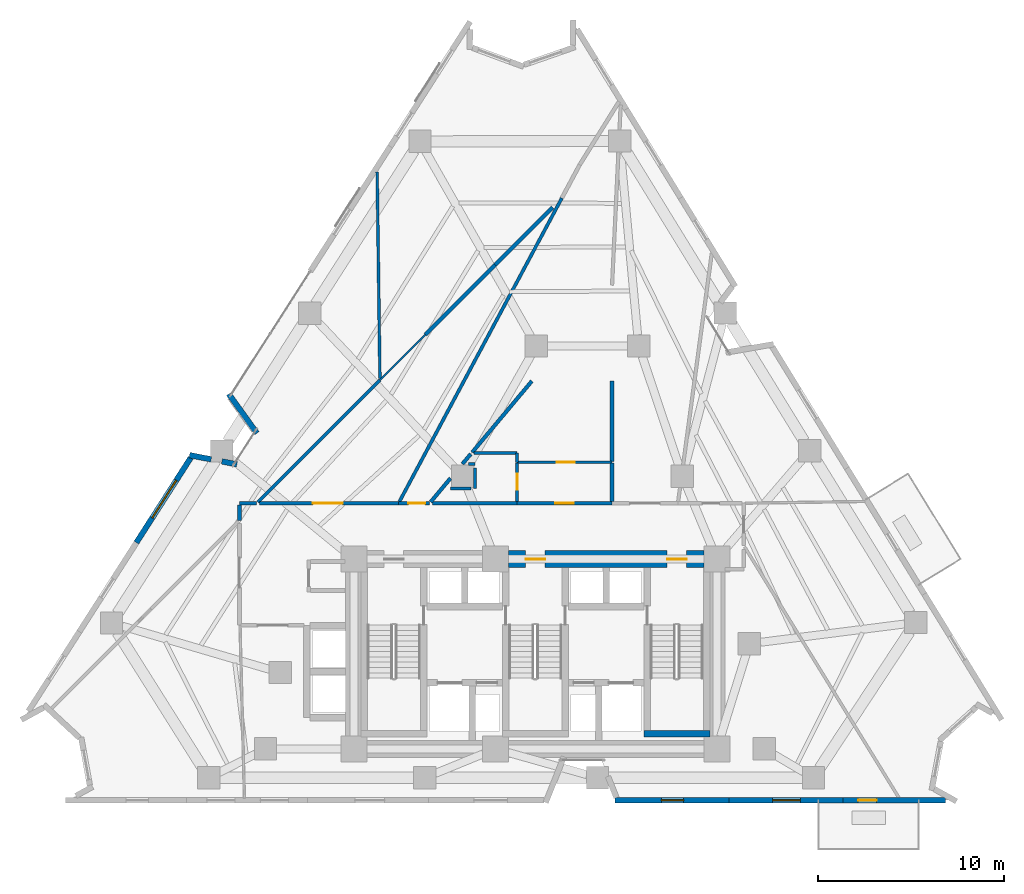
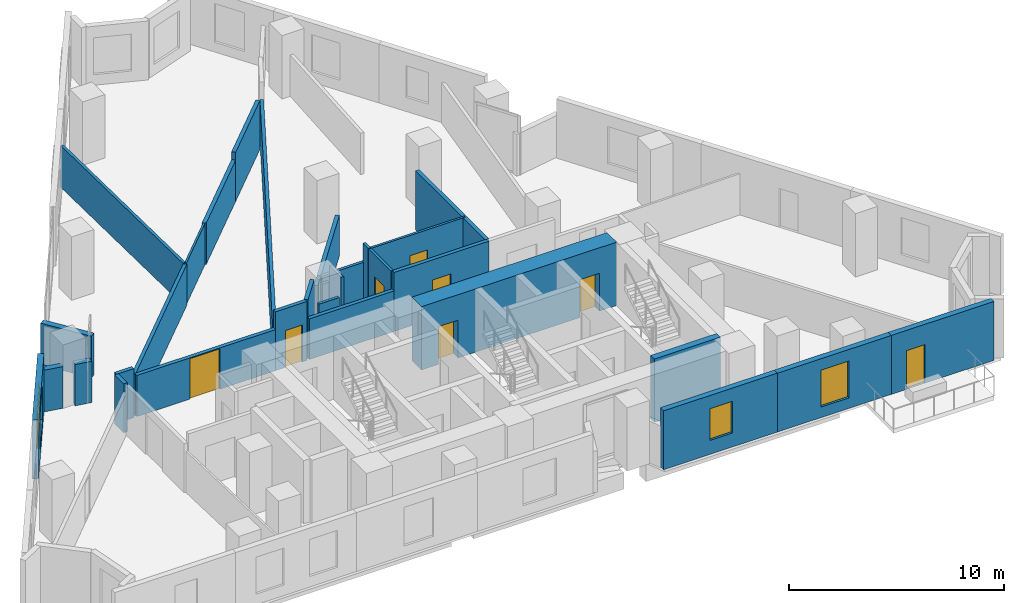
# One storey, part 7 of 12: 33 walls, 8 doors, 3 windows, 11 openings.
"""IFC4 building model written with IfcOpenShell, lengths in metres."""

from ifc_helpers import new_model, si_unit, direction, frame, frame_2d, origin, place, context, subcontext, project, spatial, rectangle, extrude, material, layer, layer_set, type_object, element, fill, save


model = new_model("IFC4")

# Units and contexts
model_context = context("Model", 3, precision=1e-05, world=origin(), true_north=direction((0.0, 1.0)))
body_context = subcontext(model_context, "Body", "Model", "MODEL_VIEW")
ifc_project = project(units=[si_unit("LENGTHUNIT", "METRE"), si_unit("AREAUNIT", "SQUARE_METRE"), si_unit("VOLUMEUNIT", "CUBIC_METRE"), si_unit("PLANEANGLEUNIT", "RADIAN"), si_unit("MASSUNIT", "GRAM", prefix="KILO")], contexts=[model_context])

# Site, building, storey
site_placement = place(None, origin())
site = spatial("IfcSite", under=ifc_project, at=site_placement, CompositionType="ELEMENT")
building_placement = place(site_placement, origin())
building = spatial("IfcBuilding", under=site, at=building_placement, Name="Almagre Mirador Tower", CompositionType="ELEMENT")
storey_placement = place(building_placement, frame((0.0, 0.0, 93.0)))
storey = spatial("IfcBuildingStorey", under=building, at=storey_placement, Name="L23", CompositionType="ELEMENT", Elevation=93.0)

# Walls
ifc_material_1 = material(Name="Precast concrete C50/60", Category="concrete")
ifc_layer_1 = layer(ifc_material_1, 0.300048828125)
ifc_layer_set_1 = layer_set([ifc_layer_1], Name="Precast concrete C50/60")
wall_type_1 = type_object("IfcWallType", Name="WAL-EXT-300", PredefinedType="SOLIDWALL", material=ifc_layer_set_1)
wall_1_placement = place(storey_placement, frame((18.718505859375, 20.33154296875, 0.0), z_axis=(0.0, 0.0, 1.0), x_axis=(0.981768670621, -0.190079660635, 0.0)))
element("IfcWall", 1, at=wall_1_placement, inside=storey, type_object=wall_type_1, Name="L23 expressed almagre precast frame wall 01", PredefinedType="SOLIDWALL", context=body_context, shape_type="SweptSolid", body=[
    extrude(rectangle(XDim=1.182861328125, YDim=0.300048828125, at=frame_2d((0.59130859375, 0.0))), origin(), (0.0, 0.0, 1.0), 2.375),
])
wall_2_placement = place(storey_placement, frame((20.4560546875, 19.9951171875, 0.0), z_axis=(0.0, 0.0, 1.0), x_axis=(0.981715557517, -0.190353786749, 0.0)))
element("IfcWall", 2, at=wall_2_placement, inside=storey, type_object=wall_type_1, Name="L23 expressed almagre precast frame wall 02", PredefinedType="SOLIDWALL", context=body_context, shape_type="SweptSolid", body=[
    extrude(rectangle(XDim=0.823486328125, YDim=0.300048828125, at=frame_2d((0.41162109375, 0.0))), origin(), (0.0, 0.0, 1.0), 2.35009765625),
])
wall_3_placement = place(storey_placement, frame((22.336669921875, 21.51123046875, 0.0), z_axis=(0.0, 0.0, 1.0), x_axis=(-0.583178108206, 0.812344319922, 0.0)))
element("IfcWall", 3, at=wall_3_placement, inside=storey, type_object=wall_type_1, Name="L23 expressed almagre precast frame wall 03", PredefinedType="SOLIDWALL", context=body_context, shape_type="SweptSolid", body=[
    extrude(rectangle(XDim=2.593017578125, YDim=0.300048828125, at=frame_2d((1.29638671875, 0.0))), origin(), (0.0, 0.0, 1.0), 2.375),
])

# Wall, opening, door
wall_4_placement = place(storey_placement, frame((59.340087890625, 1.800048828125, 0.0), z_axis=(0.0, 0.0, 1.0), x_axis=(-1.0, 0.0, 0.0)))
wall_4 = element("IfcWall", 4, at=wall_4_placement, inside=storey, type_object=wall_type_1, Name="L23 expressed almagre precast frame wall 22", PredefinedType="SOLIDWALL", context=body_context, shape_type="SweptSolid", body=[
    extrude(rectangle(XDim=5.524169921875, YDim=0.300048828125, at=frame_2d((2.76220703125, 0.0))), origin(), (0.0, 0.0, 1.0), 3.35009765625),
])
opening_1_placement = place(wall_4_placement, frame((3.69970703125, 0.0, 0.0)))
opening_1 = element("IfcOpeningElement", 5, at=opening_1_placement, cuts=wall_4, Name="Opening BD-01", PredefinedType="OPENING", context=body_context, shape_type="SweptSolid", body=[
    extrude(rectangle(XDim=1.0, YDim=2.199951171875, at=frame_2d((0.5, 1.10009765625))), frame((0.0, 0.159902, 0.0), z_axis=(0.0, -1.0, 0.0), x_axis=(1.0, 0.0, 0.0)), (0.0, 0.0, 1.0), 0.320049),
])
ifc_material_2 = material(Name="Black anodized aluminium and laminated glass", Category="aluminium")
door_type_1 = type_object("IfcDoorType", Name="DOR-BAL-1000X2200", OperationType="NOTDEFINED", PredefinedType="DOOR", material=ifc_material_2)
door_1_placement = place(opening_1_placement, origin())
door_1 = element("IfcDoor", 6, at=door_1_placement, inside=storey, type_object=door_type_1, Name="DR-0779 L23 south balcony glazed door 1", OperationType="SINGLE_SWING_LEFT", OverallHeight=2.199951171875, OverallWidth=1.0, PredefinedType="DOOR", context=body_context, shape_type="SweptSolid", body=[
    extrude(rectangle(XDim=1.0, YDim=2.199951171875, at=frame_2d((0.5, 1.10009765625))), frame((0.0, 0.02490234375, 0.0), z_axis=(0.0, -1.0, 0.0), x_axis=(1.0, 0.0, 0.0)), (0.0, 0.0, 1.0), 0.050048828125),
])
fill(opening_1, door_1)

# Wall, opening, window
wall_5_placement = place(storey_placement, frame((53.81591796875, 1.800048828125, 0.0), z_axis=(0.0, 0.0, 1.0), x_axis=(-1.0, 0.0, 0.0)))
wall_5 = element("IfcWall", 7, at=wall_5_placement, inside=storey, type_object=wall_type_1, Name="L23 expressed almagre precast frame wall 23", PredefinedType="SOLIDWALL", context=body_context, shape_type="SweptSolid", body=[
    extrude(rectangle(XDim=6.1240234375, YDim=0.300048828125, at=frame_2d((3.06201171875, 0.0))), origin(), (0.0, 0.0, 1.0), 3.35009765625),
])
opening_2_placement = place(wall_5_placement, frame((2.27490234375, 0.0, 0.60009765625)))
opening_2 = element("IfcOpeningElement", 8, at=opening_2_placement, cuts=wall_5, Name="Opening WN-03", PredefinedType="OPENING", context=body_context, shape_type="SweptSolid", body=[
    extrude(rectangle(XDim=1.5, YDim=2.10009765625, at=frame_2d((0.75, 1.050048828125))), frame((0.0, 0.159902, 0.0), z_axis=(0.0, -1.0, 0.0), x_axis=(1.0, 0.0, 0.0)), (0.0, 0.0, 1.0), 0.320049),
])
ifc_material_3 = material(Name="Dark solar-control laminated hurricane glass", Category="glass")
window_type_1 = type_object("IfcWindowType", Name="WIN-1500X2100", PartitioningType="DOUBLE_PANEL_VERTICAL", PredefinedType="WINDOW", material=ifc_material_3)
window_1_placement = place(opening_2_placement, origin())
window_1 = element("IfcWindow", 9, at=window_1_placement, inside=storey, type_object=window_type_1, Name="L23 recessed hurricane window L23-RST-C", OverallHeight=2.10009765625, OverallWidth=1.5, PartitioningType="SINGLE_PANEL", PredefinedType="WINDOW", context=body_context, shape_type="SweptSolid", body=[
    extrude(rectangle(XDim=1.5, YDim=2.10009765625, at=frame_2d((0.75, 1.050048828125))), frame((0.0, 0.030029296875, 0.0), z_axis=(0.0, -1.0, 0.0), x_axis=(1.0, 0.0, 0.0)), (0.0, 0.0, 1.0), 0.06005859375),
])
fill(opening_2, window_1)

wall_6_placement = place(storey_placement, frame((47.69189453125, 1.800048828125, 0.0), z_axis=(0.0, 0.0, 1.0), x_axis=(-1.0, 0.0, 0.0)))
wall_6 = element("IfcWall", 10, at=wall_6_placement, inside=storey, type_object=wall_type_1, Name="L23 expressed almagre precast frame wall 24", PredefinedType="SOLIDWALL", context=body_context, shape_type="SweptSolid", body=[
    extrude(rectangle(XDim=6.123779296875, YDim=0.300048828125, at=frame_2d((3.06201171875, 0.0))), origin(), (0.0, 0.0, 1.0), 3.35009765625),
])
opening_3_placement = place(wall_6_placement, frame((2.425048828125, 0.0, 0.800048828125)))
opening_3 = element("IfcOpeningElement", 11, at=opening_3_placement, cuts=wall_6, Name="Opening WN-04", PredefinedType="OPENING", context=body_context, shape_type="SweptSolid", body=[
    extrude(rectangle(XDim=1.199951171875, YDim=1.800048828125, at=frame_2d((0.60009765625, 0.89990234375))), frame((0.0, 0.159902, 0.0), z_axis=(0.0, -1.0, 0.0), x_axis=(1.0, 0.0, 0.0)), (0.0, 0.0, 1.0), 0.320049),
])
ifc_material_4 = material(Name="Dark solar-control laminated hurricane glass", Category="glass")
window_type_2 = type_object("IfcWindowType", Name="WIN-1200X1800", PartitioningType="SINGLE_PANEL", PredefinedType="WINDOW", material=ifc_material_4)
window_2_placement = place(opening_3_placement, origin())
window_2 = element("IfcWindow", 12, at=window_2_placement, inside=storey, type_object=window_type_2, Name="L23 recessed hurricane window L23-RST-C", OverallHeight=1.800048828125, OverallWidth=1.199951171875, PartitioningType="SINGLE_PANEL", PredefinedType="WINDOW", context=body_context, shape_type="SweptSolid", body=[
    extrude(rectangle(XDim=1.199951171875, YDim=1.800048828125, at=frame_2d((0.60009765625, 0.89990234375))), frame((0.0, 0.030029296875, 0.0), z_axis=(0.0, -1.0, 0.0), x_axis=(1.0, 0.0, 0.0)), (0.0, 0.0, 1.0), 0.06005859375),
])
fill(opening_3, window_2)

wall_7_placement = place(storey_placement, frame((15.8642578125, 15.63525390625, 0.0), z_axis=(0.0, 0.0, 1.0), x_axis=(0.53944798429, 0.842018926299, 0.0)))
wall_7 = element("IfcWall", 13, at=wall_7_placement, inside=storey, type_object=wall_type_1, Name="L23 expressed almagre precast frame wall 37", PredefinedType="SOLIDWALL", context=body_context, shape_type="SweptSolid", body=[
    extrude(rectangle(XDim=5.410888671875, YDim=0.300048828125, at=frame_2d((2.70556640625, 0.0))), origin(), (0.0, 0.0, 1.0), 3.35009765625),
])
opening_4_placement = place(wall_7_placement, frame((1.574951171875, 0.0, 0.60009765625)))
opening_4 = element("IfcOpeningElement", 14, at=opening_4_placement, cuts=wall_7, Name="Opening WN-02", PredefinedType="OPENING", context=body_context, shape_type="SweptSolid", body=[
    extrude(rectangle(XDim=2.39990234375, YDim=2.10009765625, at=frame_2d((1.199951171875, 1.050048828125))), frame((0.0, 0.159902, 0.0), z_axis=(0.0, -1.0, 0.0), x_axis=(1.0, 0.0, 0.0)), (0.0, 0.0, 1.0), 0.320049),
])
ifc_material_5 = material(Name="Dark solar-control laminated hurricane glass", Category="glass")
window_type_3 = type_object("IfcWindowType", Name="WIN-2400X2100", PartitioningType="TRIPLE_PANEL_VERTICAL", PredefinedType="WINDOW", material=ifc_material_5)
window_3_placement = place(opening_4_placement, origin())
window_3 = element("IfcWindow", 15, at=window_3_placement, inside=storey, type_object=window_type_3, Name="L23 recessed hurricane window L23-RST-E", OverallHeight=2.10009765625, OverallWidth=2.39990234375, PartitioningType="SINGLE_PANEL", PredefinedType="WINDOW", context=body_context, shape_type="SweptSolid", body=[
    extrude(rectangle(XDim=2.39990234375, YDim=2.10009765625, at=frame_2d((1.199951171875, 1.050048828125))), frame((0.0, 0.030029296875, 0.0), z_axis=(0.0, -1.0, 0.0), x_axis=(1.0, 0.0, 0.0)), (0.0, 0.0, 1.0), 0.06005859375),
])
fill(opening_4, window_3)

# Wall
ifc_material_6 = material(Name="Gypsum acoustic stud partition", Category="other")
ifc_layer_2 = layer(ifc_material_6, 0.10009765625)
ifc_layer_set_2 = layer_set([ifc_layer_2], Name="Gypsum acoustic stud partition")
wall_type_2 = type_object("IfcWallType", Name="WAL-PRT-100-CLS", PredefinedType="PARTITIONING", material=ifc_layer_set_2)
wall_8_placement = place(storey_placement, frame((31.389892578125, 26.81005859375, 0.0), z_axis=(0.0, 0.0, 1.0), x_axis=(-0.707106781187, -0.707106781187, 0.0)))
element("IfcWall", 16, at=wall_8_placement, inside=storey, type_object=wall_type_2, Name="L23 interior partition 044", PredefinedType="PARTITIONING", context=body_context, shape_type="SweptSolid", body=[
    extrude(rectangle(XDim=3.45068359375, YDim=0.10009765625, at=frame_2d((1.725341796875, 0.0))), origin(), (0.0, 0.0, 1.0), 2.344970703125),
])

# Wall, opening, door
ifc_material_7 = material(Name="Gypsum acoustic stud partition", Category="other")
ifc_layer_3 = layer(ifc_material_7, 0.125)
ifc_layer_set_3 = layer_set([ifc_layer_3], Name="Gypsum acoustic stud partition")
wall_type_3 = type_object("IfcWallType", Name="WAL-PRT-125-UTL", PredefinedType="PARTITIONING", material=ifc_layer_set_3)
wall_9_placement = place(storey_placement, frame((41.419921875, 19.949951171875, 0.0), z_axis=(0.0, 0.0, 1.0), x_axis=(-1.0, 0.0, 0.0)))
wall_9 = element("IfcWall", 17, at=wall_9_placement, inside=storey, type_object=wall_type_3, Name="L23 interior partition 024", PredefinedType="PARTITIONING", context=body_context, shape_type="SweptSolid", body=[
    extrude(rectangle(XDim=5.099853515625, YDim=0.125, at=frame_2d((2.5498046875, 0.0))), origin(), (0.0, 0.0, 1.0), 3.35009765625),
])
opening_5_placement = place(wall_9_placement, frame((2.016357421875, 0.0, 0.0)))
opening_5 = element("IfcOpeningElement", 18, at=opening_5_placement, cuts=wall_9, Name="Opening UD-01", PredefinedType="OPENING", context=body_context, shape_type="SweptSolid", body=[
    extrude(rectangle(XDim=0.949951171875, YDim=2.199951171875, at=frame_2d((0.47509765625, 1.10009765625))), frame((0.0, 0.0725, 0.0), z_axis=(0.0, -1.0, 0.0), x_axis=(1.0, 0.0, 0.0)), (0.0, 0.0, 1.0), 0.145),
])
ifc_material_8 = material(Name="Solid American walnut timber", Category="wood")
door_type_2 = type_object("IfcDoorType", Name="DOR-UNR-950X2200", OperationType="NOTDEFINED", PredefinedType="DOOR", material=ifc_material_8)
door_2_placement = place(opening_5_placement, origin())
door_2 = element("IfcDoor", 19, at=door_2_placement, inside=storey, type_object=door_type_2, Name="DR-0794 L23 interior door L23-UG-ST to L23-UG-KT", OperationType="SINGLE_SWING_LEFT", OverallHeight=2.199951171875, OverallWidth=0.949951171875, PredefinedType="DOOR", context=body_context, shape_type="SweptSolid", body=[
    extrude(rectangle(XDim=0.949951171875, YDim=2.199951171875, at=frame_2d((0.47509765625, 1.10009765625))), frame((0.0, 0.02490234375, 0.0), z_axis=(0.0, -1.0, 0.0), x_axis=(1.0, 0.0, 0.0)), (0.0, 0.0, 1.0), 0.050048828125),
])
fill(opening_5, door_2)

# Wall
ifc_material_9 = material(Name="Gypsum acoustic stud partition", Category="other")
ifc_layer_4 = layer(ifc_material_9, 0.14990234375)
ifc_layer_set_4 = layer_set([ifc_layer_4], Name="Gypsum acoustic stud partition")
wall_type_4 = type_object("IfcWallType", Name="WAL-PRT-150-STD", PredefinedType="PARTITIONING", material=ifc_layer_set_4)
wall_10_placement = place(storey_placement, frame((28.94921875, 24.4423828125, 0.0), z_axis=(0.0, 0.0, 1.0), x_axis=(-0.013598057178, 0.999907542146, 0.0)))
element("IfcWall", 20, at=wall_10_placement, inside=storey, type_object=wall_type_4, Name="L23 interior partition 019", PredefinedType="PARTITIONING", context=body_context, shape_type="SweptSolid", body=[
    extrude(rectangle(XDim=11.113525390625, YDim=0.14990234375, at=frame_2d((5.556640625, 0.0))), origin(), (0.0, 0.0, 1.0), 2.3701171875),
])

# Wall, opening, door
wall_11_placement = place(storey_placement, frame((36.320068359375, 19.902587890625, 0.0), z_axis=(0.0, 0.0, 1.0), x_axis=(0.0, -1.0, 0.0)))
wall_11 = element("IfcWall", 21, at=wall_11_placement, inside=storey, type_object=wall_type_4, Name="L23 interior partition 025", PredefinedType="PARTITIONING", context=body_context, shape_type="SweptSolid", body=[
    extrude(rectangle(XDim=2.067626953125, YDim=0.14990234375, at=frame_2d((1.03369140625, 0.0))), origin(), (0.0, 0.0, 1.0), 3.35009765625),
])
opening_6_placement = place(wall_11_placement, frame((0.568115234375, 0.0, 0.0)))
opening_6 = element("IfcOpeningElement", 22, at=opening_6_placement, cuts=wall_11, Name="Opening UD-04", PredefinedType="OPENING", context=body_context, shape_type="SweptSolid", body=[
    extrude(rectangle(XDim=0.85009765625, YDim=2.10009765625, at=frame_2d((0.425048828125, 1.050048828125))), frame((0.0, 0.084951, 0.0), z_axis=(0.0, -1.0, 0.0), x_axis=(1.0, 0.0, 0.0)), (0.0, 0.0, 1.0), 0.169902),
])
ifc_material_10 = material(Name="Moisture-resistant oak timber", Category="wood")
door_type_3 = type_object("IfcDoorType", Name="DOR-UNR-850X2100", OperationType="NOTDEFINED", PredefinedType="DOOR", material=ifc_material_10)
door_3_placement = place(opening_6_placement, origin())
door_3 = element("IfcDoor", 23, at=door_3_placement, inside=storey, type_object=door_type_3, Name="DR-0795 L23 interior door L23-UG-ST to L23-UG-BT", OperationType="SINGLE_SWING_RIGHT", OverallHeight=2.10009765625, OverallWidth=0.85009765625, PredefinedType="DOOR", context=body_context, shape_type="SweptSolid", body=[
    extrude(rectangle(XDim=0.85009765625, YDim=2.10009765625, at=frame_2d((0.425048828125, 1.050048828125))), frame((0.0, 0.02490234375, 0.0), z_axis=(0.0, -1.0, 0.0), x_axis=(1.0, 0.0, 0.0)), (0.0, 0.0, 1.0), 0.050048828125),
])
fill(opening_6, door_3)

# Walls
wall_12_placement = place(storey_placement, frame((33.9951171875, 20.43994140625, 0.0), z_axis=(0.0, 0.0, 1.0), x_axis=(1.0, 0.0, 0.0)))
element("IfcWall", 24, at=wall_12_placement, inside=storey, type_object=wall_type_4, Name="L23 interior partition 027", PredefinedType="PARTITIONING", context=body_context, shape_type="SweptSolid", body=[
    extrude(rectangle(XDim=2.324951171875, YDim=0.14990234375, at=frame_2d((1.16259765625, 0.0))), origin(), (0.0, 0.0, 1.0), 2.30908203125),
])
wall_13_placement = place(storey_placement, frame((36.320068359375, 20.43994140625, 0.0), z_axis=(0.0, 0.0, 1.0), x_axis=(0.0, -1.0, 0.0)))
element("IfcWall", 25, at=wall_13_placement, inside=storey, type_object=wall_type_4, Name="L23 interior partition 028", PredefinedType="PARTITIONING", context=body_context, shape_type="SweptSolid", body=[
    extrude(rectangle(XDim=0.489990234375, YDim=0.14990234375, at=frame_2d((0.2451171875, 0.0))), origin(), (0.0, 0.0, 1.0), 3.35009765625),
])
wall_14_placement = place(storey_placement, frame((33.694091796875, 19.860107421875, 0.0), z_axis=(0.0, 0.0, 1.0), x_axis=(1.0, 0.0, 0.0)))
element("IfcWall", 26, at=wall_14_placement, inside=storey, type_object=wall_type_4, Name="L23 interior partition 046", PredefinedType="PARTITIONING", context=body_context, shape_type="SweptSolid", body=[
    extrude(rectangle(XDim=0.365966796875, YDim=0.14990234375, at=frame_2d((0.18310546875, 0.0))), origin(), (0.0, 0.0, 1.0), 2.30908203125),
])
wall_15_placement = place(storey_placement, frame((34.06005859375, 19.64501953125, 0.0), z_axis=(0.0, 0.0, 1.0), x_axis=(0.0, -1.0, 0.0)))
element("IfcWall", 27, at=wall_15_placement, inside=storey, type_object=wall_type_4, Name="L23 interior partition 047", PredefinedType="PARTITIONING", context=body_context, shape_type="SweptSolid", body=[
    extrude(rectangle(XDim=1.10498046875, YDim=0.14990234375, at=frame_2d((0.552490234375, 0.0))), origin(), (0.0, 0.0, 1.0), 3.35009765625),
])
wall_16_placement = place(storey_placement, frame((33.844970703125, 18.5400390625, 0.0), z_axis=(0.0, 0.0, 1.0), x_axis=(-1.0, 0.0, 0.0)))
element("IfcWall", 28, at=wall_16_placement, inside=storey, type_object=wall_type_4, Name="L23 interior partition 048", PredefinedType="PARTITIONING", context=body_context, shape_type="SweptSolid", body=[
    extrude(rectangle(XDim=1.10498046875, YDim=0.14990234375, at=frame_2d((0.552490234375, 0.0))), origin(), (0.0, 0.0, 1.0), 2.30908203125),
])
ifc_material_11 = material(Name="Gypsum acoustic stud partition", Category="other")
ifc_layer_5 = layer(ifc_material_11, 0.175048828125)
ifc_layer_set_5 = layer_set([ifc_layer_5], Name="Gypsum acoustic stud partition")
wall_type_5 = type_object("IfcWallType", Name="WAL-PRT-175-AC", PredefinedType="PARTITIONING", material=ifc_layer_set_5)
wall_17_placement = place(storey_placement, frame((22.39013671875, 17.81005859375, 0.0), z_axis=(0.0, 0.0, 1.0), x_axis=(0.707093622896, 0.707119939232, 0.0)))
element("IfcWall", 29, at=wall_17_placement, inside=storey, type_object=wall_type_5, Name="L23 interior partition 018", PredefinedType="PARTITIONING", context=body_context, shape_type="SweptSolid", body=[
    extrude(rectangle(XDim=9.277099609375, YDim=0.175048828125, at=frame_2d((4.638671875, 0.0))), origin(), (0.0, 0.0, 1.0), 2.344970703125),
])
wall_18_placement = place(storey_placement, frame((29.989990234375, 17.824951171875, 0.0), z_axis=(0.0, 0.0, 1.0), x_axis=(0.471794438595, 0.881708573005, 0.0)))
element("IfcWall", 30, at=wall_18_placement, inside=storey, type_object=wall_type_5, Name="L23 interior partition 021", PredefinedType="PARTITIONING", context=body_context, shape_type="SweptSolid", body=[
    extrude(rectangle(XDim=18.503662109375, YDim=0.175048828125, at=frame_2d((9.251953125, 0.0))), origin(), (0.0, 0.0, 1.0), 2.344970703125),
])
ifc_material_12 = material(Name="Gypsum acoustic stud partition", Category="other")
ifc_layer_6 = layer(ifc_material_12, 0.199951171875)
ifc_layer_set_6 = layer_set([ifc_layer_6], Name="Gypsum acoustic stud partition")
wall_type_6 = type_object("IfcWallType", Name="WAL-PRT-200-EI60", PredefinedType="PARTITIONING", material=ifc_layer_set_6)
wall_19_placement = place(storey_placement, frame((22.330078125, 17.75, 0.0), z_axis=(0.0, 0.0, 1.0), x_axis=(-1.0, 0.0, 0.0)))
element("IfcWall", 31, at=wall_19_placement, inside=storey, type_object=wall_type_6, Name="L23 interior partition 006", PredefinedType="PARTITIONING", context=body_context, shape_type="SweptSolid", body=[
    extrude(rectangle(XDim=0.93017578125, YDim=0.199951171875, at=frame_2d((0.465087890625, 0.0))), origin(), (0.0, 0.0, 1.0), 2.787109375),
])
wall_20_placement = place(storey_placement, frame((21.39990234375, 17.6650390625, 0.0), z_axis=(0.0, 0.0, 1.0), x_axis=(0.0, -1.0, 0.0)))
element("IfcWall", 32, at=wall_20_placement, inside=storey, type_object=wall_type_6, Name="L23 interior partition 007", PredefinedType="PARTITIONING", context=body_context, shape_type="SweptSolid", body=[
    extrude(rectangle(XDim=0.844970703125, YDim=0.199951171875, at=frame_2d((0.42236328125, 0.0))), origin(), (0.0, 0.0, 1.0), 2.787109375),
])

# Wall, opening, door
wall_21_placement = place(storey_placement, frame((29.949951171875, 17.75, 0.0), z_axis=(0.0, 0.0, 1.0), x_axis=(-1.0, 0.0, 0.0)))
wall_21 = element("IfcWall", 33, at=wall_21_placement, inside=storey, type_object=wall_type_6, Name="L23 interior partition 008", PredefinedType="PARTITIONING", context=body_context, shape_type="SweptSolid", body=[
    extrude(rectangle(XDim=7.46484375, YDim=0.199951171875, at=frame_2d((3.732421875, 0.0))), origin(), (0.0, 0.0, 1.0), 2.344970703125),
])
opening_7_placement = place(wall_21_placement, frame((3.010009765625, 0.0, 0.0)))
opening_7 = element("IfcOpeningElement", 34, at=opening_7_placement, cuts=wall_21, Name="Opening ID-05", PredefinedType="OPENING", context=body_context, shape_type="SweptSolid", body=[
    extrude(rectangle(XDim=1.60009765625, YDim=2.300048828125, at=frame_2d((0.800048828125, 1.14990234375))), frame((0.0, 0.110098, 0.0), z_axis=(0.0, -1.0, 0.0), x_axis=(1.0, 0.0, 0.0)), (0.0, 0.0, 1.0), 0.219951),
])
ifc_material_13 = material(Name="Fire-rated acoustic timber", Category="wood")
door_type_4 = type_object("IfcDoorType", Name="DOR-FD60-1600X2300", OperationType="DOUBLE_DOOR_SINGLE_SWING", PredefinedType="DOOR", material=ifc_material_13)
door_4_placement = place(opening_7_placement, origin())
door_4 = element("IfcDoor", 35, at=door_4_placement, inside=storey, type_object=door_type_4, Name="DR-0789 L23 interior door L23-RCOR to L23-RST-F", OperationType="DOUBLE_DOOR_SINGLE_SWING", OverallHeight=2.300048828125, OverallWidth=1.60009765625, PredefinedType="DOOR", context=body_context, shape_type="SweptSolid", body=[
    extrude(rectangle(XDim=1.60009765625, YDim=2.300048828125, at=frame_2d((0.800048828125, 1.14990234375))), frame((0.0, 0.02490234375, 0.0), z_axis=(0.0, -1.0, 0.0), x_axis=(1.0, 0.0, 0.0)), (0.0, 0.0, 1.0), 0.050048828125),
])
fill(opening_7, door_4)

wall_22_placement = place(storey_placement, frame((41.419921875, 17.75, 0.0), z_axis=(0.0, 0.0, 1.0), x_axis=(-1.0, 0.0, 0.0)))
wall_22 = element("IfcWall", 36, at=wall_22_placement, inside=storey, type_object=wall_type_6, Name="L23 interior partition 009", PredefinedType="PARTITIONING", context=body_context, shape_type="SweptSolid", body=[
    extrude(rectangle(XDim=5.099853515625, YDim=0.199951171875, at=frame_2d((2.5498046875, 0.0))), origin(), (0.0, 0.0, 1.0), 3.35009765625),
])
opening_8_placement = place(wall_22_placement, frame((2.050048828125, 0.0, 0.0)))
opening_8 = element("IfcOpeningElement", 37, at=opening_8_placement, cuts=wall_22, Name="Opening ID-01", PredefinedType="OPENING", context=body_context, shape_type="SweptSolid", body=[
    extrude(rectangle(XDim=1.0, YDim=2.199951171875, at=frame_2d((0.5, 1.10009765625))), frame((0.0, 0.110098, 0.0), z_axis=(0.0, -1.0, 0.0), x_axis=(1.0, 0.0, 0.0)), (0.0, 0.0, 1.0), 0.219951),
])
ifc_material_14 = material(Name="Fire-rated walnut timber", Category="wood")
door_type_5 = type_object("IfcDoorType", Name="DOR-FD60-1000X2200", OperationType="NOTDEFINED", PredefinedType="DOOR", material=ifc_material_14)
door_5_placement = place(opening_8_placement, origin())
door_5 = element("IfcDoor", 38, at=door_5_placement, inside=storey, type_object=door_type_5, Name="DR-0793 L23 interior door L23-RCOR to L23-UG-ST", OperationType="SINGLE_SWING_RIGHT", OverallHeight=2.199951171875, OverallWidth=1.0, PredefinedType="DOOR", context=body_context, shape_type="SweptSolid", body=[
    extrude(rectangle(XDim=1.0, YDim=2.199951171875, at=frame_2d((0.5, 1.10009765625))), frame((0.0, 0.02490234375, 0.0), z_axis=(0.0, -1.0, 0.0), x_axis=(1.0, 0.0, 0.0)), (0.0, 0.0, 1.0), 0.050048828125),
])
fill(opening_8, door_5)

# Wall
wall_23_placement = place(storey_placement, frame((36.320068359375, 17.75, 0.0), z_axis=(0.0, 0.0, 1.0), x_axis=(-1.0, 0.0, 0.0)))
element("IfcWall", 39, at=wall_23_placement, inside=storey, type_object=wall_type_6, Name="L23 interior partition 010", PredefinedType="PARTITIONING", context=body_context, shape_type="SweptSolid", body=[
    extrude(rectangle(XDim=4.56005859375, YDim=0.199951171875, at=frame_2d((2.280029296875, 0.0))), origin(), (0.0, 0.0, 1.0), 2.30908203125),
])

# Wall, opening, door
wall_24_placement = place(storey_placement, frame((31.6201171875, 17.75, 0.0), z_axis=(0.0, 0.0, 1.0), x_axis=(-1.0, 0.0, 0.0)))
wall_24 = element("IfcWall", 40, at=wall_24_placement, inside=storey, type_object=wall_type_6, Name="L23 interior partition 012", PredefinedType="PARTITIONING", context=body_context, shape_type="SweptSolid", body=[
    extrude(rectangle(XDim=1.670166015625, YDim=0.199951171875, at=frame_2d((0.8349609375, 0.0))), origin(), (0.0, 0.0, 1.0), 3.35009765625),
])
opening_9_placement = place(wall_24_placement, frame((0.238037109375, 0.0, 0.0)))
opening_9 = element("IfcOpeningElement", 41, at=opening_9_placement, cuts=wall_24, Name="Opening ID-03", PredefinedType="OPENING", context=body_context, shape_type="SweptSolid", body=[
    extrude(rectangle(XDim=0.89990234375, YDim=2.10009765625, at=frame_2d((0.449951171875, 1.050048828125))), frame((0.0, 0.110098, 0.0), z_axis=(0.0, -1.0, 0.0), x_axis=(1.0, 0.0, 0.0)), (0.0, 0.0, 1.0), 0.219951),
])
ifc_material_15 = material(Name="Fire-rated hollow steel", Category="steel")
door_type_6 = type_object("IfcDoorType", Name="DOR-FD60-900X2100", OperationType="NOTDEFINED", PredefinedType="DOOR", material=ifc_material_15)
door_6_placement = place(opening_9_placement, origin())
door_6 = element("IfcDoor", 42, at=door_6_placement, inside=storey, type_object=door_type_6, Name="DR-0791 L23 interior door L23-RCOR to L23-RST-K", OperationType="SINGLE_SWING_RIGHT", OverallHeight=2.10009765625, OverallWidth=0.89990234375, PredefinedType="DOOR", context=body_context, shape_type="SweptSolid", body=[
    extrude(rectangle(XDim=0.89990234375, YDim=2.10009765625, at=frame_2d((0.449951171875, 1.050048828125))), frame((0.0, 0.02490234375, 0.0), z_axis=(0.0, -1.0, 0.0), x_axis=(1.0, 0.0, 0.0)), (0.0, 0.0, 1.0), 0.050048828125),
])
fill(opening_9, door_6)

# Walls
wall_25_placement = place(storey_placement, frame((38.232177734375, 33.652099609375, 0.0), z_axis=(0.0, 0.0, 1.0), x_axis=(-0.707134695316, -0.707078865955, 0.0)))
element("IfcWall", 43, at=wall_25_placement, inside=storey, type_object=wall_type_6, Name="L23 interior partition 022", PredefinedType="PARTITIONING", context=body_context, shape_type="SweptSolid", body=[
    extrude(rectangle(XDim=4.373046875, YDim=0.199951171875, at=frame_2d((2.1865234375, 0.0))), origin(), (0.0, 0.0, 1.0), 2.787109375),
])
wall_26_placement = place(storey_placement, frame((35.139892578125, 30.56005859375, 0.0), z_axis=(0.0, 0.0, 1.0), x_axis=(-0.707106781187, -0.707106781187, 0.0)))
element("IfcWall", 44, at=wall_26_placement, inside=storey, type_object=wall_type_6, Name="L23 interior partition 023", PredefinedType="PARTITIONING", context=body_context, shape_type="SweptSolid", body=[
    extrude(rectangle(XDim=5.30322265625, YDim=0.199951171875, at=frame_2d((2.651611328125, 0.0))), origin(), (0.0, 0.0, 1.0), 2.344970703125),
])
wall_27_placement = place(storey_placement, frame((41.419921875, 17.8349609375, 0.0), z_axis=(0.0, 0.0, 1.0), x_axis=(0.0, 1.0, 0.0)))
element("IfcWall", 45, at=wall_27_placement, inside=storey, type_object=wall_type_6, Name="L23 interior partition 026", PredefinedType="PARTITIONING", context=body_context, shape_type="SweptSolid", body=[
    extrude(rectangle(XDim=2.067626953125, YDim=0.199951171875, at=frame_2d((1.03369140625, 0.0))), origin(), (0.0, 0.0, 1.0), 3.35009765625),
])
wall_28_placement = place(storey_placement, frame((37.110107421875, 24.31005859375, 0.0), z_axis=(0.0, 0.0, 1.0), x_axis=(-0.641959412344, -0.766738620981, 0.0)))
element("IfcWall", 46, at=wall_28_placement, inside=storey, type_object=wall_type_6, Name="L23 interior partition 029", PredefinedType="PARTITIONING", context=body_context, shape_type="SweptSolid", body=[
    extrude(rectangle(XDim=4.9873046875, YDim=0.199951171875, at=frame_2d((2.49365234375, 0.0))), origin(), (0.0, 0.0, 1.0), 2.30908203125),
])
wall_29_placement = place(storey_placement, frame((41.419921875, 19.99755859375, 0.0), z_axis=(0.0, 0.0, 1.0), x_axis=(0.0, 1.0, 0.0)))
element("IfcWall", 47, at=wall_29_placement, inside=storey, type_object=wall_type_6, Name="L23 interior partition 030", PredefinedType="PARTITIONING", context=body_context, shape_type="SweptSolid", body=[
    extrude(rectangle(XDim=4.3125, YDim=0.199951171875, at=frame_2d((2.15625, 0.0))), origin(), (0.0, 0.0, 1.0), 3.35009765625),
])
wall_30_placement = place(storey_placement, frame((32.739990234375, 19.090087890625, 0.0), z_axis=(0.0, 0.0, 1.0), x_axis=(-0.641253321663, -0.767329249707, 0.0)))
element("IfcWall", 48, at=wall_30_placement, inside=storey, type_object=wall_type_6, Name="L23 interior partition 031", PredefinedType="PARTITIONING", context=body_context, shape_type="SweptSolid", body=[
    extrude(rectangle(XDim=1.661376953125, YDim=0.199951171875, at=frame_2d((0.83056640625, 0.0))), origin(), (0.0, 0.0, 1.0), 3.35009765625),
])
wall_31_placement = place(storey_placement, frame((33.831298828125, 20.394287109375, 0.0), z_axis=(0.0, 0.0, 1.0), x_axis=(-0.645457004141, -0.763796606306, 0.0)))
element("IfcWall", 49, at=wall_31_placement, inside=storey, type_object=wall_type_6, Name="L23 interior partition 032", PredefinedType="PARTITIONING", context=body_context, shape_type="SweptSolid", body=[
    extrude(rectangle(XDim=0.699462890625, YDim=0.199951171875, at=frame_2d((0.349609375, 0.0))), origin(), (0.0, 0.0, 1.0), 2.30908203125),
])
ifc_material_16 = material(Name="Concrete C60/75", Category="concrete")
ifc_layer_7 = layer(ifc_material_16, 0.35009765625)
ifc_layer_set_7 = layer_set([ifc_layer_7], Name="Concrete C60/75")
wall_type_7 = type_object("IfcWallType", Name="WAL-SHF-350", PredefinedType="SOLIDWALL", material=ifc_layer_set_7)
wall_32_placement = place(storey_placement, frame((43.125, 5.375, 0.0), z_axis=(0.0, 0.0, 1.0), x_axis=(1.0, 0.0, 0.0)))
element("IfcWall", 50, at=wall_32_placement, inside=storey, type_object=wall_type_7, Name="L23 shaft wall ST3-S", PredefinedType="SOLIDWALL", context=body_context, shape_type="SweptSolid", body=[
    extrude(rectangle(XDim=3.550048828125, YDim=0.35009765625, at=frame_2d((1.77490234375, 0.0))), origin(), (0.0, 0.0, 1.0), 3.60009765625),
])

# Wall, openings, doors
ifc_material_17 = material(Name="Concrete C70/85", Category="concrete")
ifc_layer_8 = layer(ifc_material_17, 0.89990234375)
ifc_layer_set_8 = layer_set([ifc_layer_8], Name="Concrete C70/85")
wall_type_8 = type_object("IfcWallType", Name="WAL-SHR-900", PredefinedType="SHEAR", material=ifc_layer_set_8)
wall_33_placement = place(storey_placement, frame((35.85009765625, 14.75, 0.0), z_axis=(0.0, 0.0, 1.0), x_axis=(1.0, 0.0, 0.0)))
wall_33 = element("IfcWall", 51, at=wall_33_placement, inside=storey, type_object=wall_type_8, Name="L23 core shear wall N2", PredefinedType="SHEAR", context=body_context, shape_type="SweptSolid", body=[
    extrude(rectangle(XDim=10.5, YDim=0.89990234375, at=frame_2d((5.25, 0.0))), origin(), (0.0, 0.0, 1.0), 3.60009765625),
])
opening_10_placement = place(wall_33_placement, frame((0.925048828125, 0.0, 0.0)))
opening_10 = element("IfcOpeningElement", 52, at=opening_10_placement, cuts=wall_33, Name="Opening SD-01", PredefinedType="OPENING", context=body_context, shape_type="SweptSolid", body=[
    extrude(rectangle(XDim=1.050048828125, YDim=2.14990234375, at=frame_2d((0.52490234375, 1.074951171875))), frame((0.0, 0.459951, 0.0), z_axis=(0.0, -1.0, 0.0), x_axis=(1.0, 0.0, 0.0)), (0.0, 0.0, 1.0), 0.919902),
])
opening_11_placement = place(wall_33_placement, frame((8.52490234375, 0.0, 0.0)))
opening_11 = element("IfcOpeningElement", 53, at=opening_11_placement, cuts=wall_33, Name="Opening SD-01", PredefinedType="OPENING", context=body_context, shape_type="SweptSolid", body=[
    extrude(rectangle(XDim=1.050048828125, YDim=2.14990234375, at=frame_2d((0.52490234375, 1.074951171875))), frame((0.0, 0.459951, 0.0), z_axis=(0.0, -1.0, 0.0), x_axis=(1.0, 0.0, 0.0)), (0.0, 0.0, 1.0), 0.919902),
])
ifc_material_18 = material(Name="Fire-rated hollow steel", Category="steel")
door_type_7 = type_object("IfcDoorType", Name="DOR-ST-1050X2150", OperationType="NOTDEFINED", PredefinedType="DOOR", material=ifc_material_18)
door_7_placement = place(opening_10_placement, origin())
door_7 = element("IfcDoor", 54, at=door_7_placement, inside=storey, type_object=door_type_7, Name="DR-0802 L23 protected exit stair ST-2 door", OperationType="SINGLE_SWING_RIGHT", OverallHeight=2.14990234375, OverallWidth=1.050048828125, PredefinedType="DOOR", context=body_context, shape_type="SweptSolid", body=[
    extrude(rectangle(XDim=1.050048828125, YDim=2.14990234375, at=frame_2d((0.52490234375, 1.074951171875))), frame((0.0, 0.02490234375, 0.0), z_axis=(0.0, -1.0, 0.0), x_axis=(1.0, 0.0, 0.0)), (0.0, 0.0, 1.0), 0.050048828125),
])
fill(opening_10, door_7)
door_8_placement = place(opening_11_placement, origin())
door_8 = element("IfcDoor", 55, at=door_8_placement, inside=storey, type_object=door_type_7, Name="DR-0803 L23 protected exit stair ST-3 door", OperationType="SINGLE_SWING_LEFT", OverallHeight=2.14990234375, OverallWidth=1.050048828125, PredefinedType="DOOR", context=body_context, shape_type="SweptSolid", body=[
    extrude(rectangle(XDim=1.050048828125, YDim=2.14990234375, at=frame_2d((0.52490234375, 1.074951171875))), frame((0.0, 0.02490234375, 0.0), z_axis=(0.0, -1.0, 0.0), x_axis=(1.0, 0.0, 0.0)), (0.0, 0.0, 1.0), 0.050048828125),
])
fill(opening_11, door_8)

save(model, "model.ifc")
